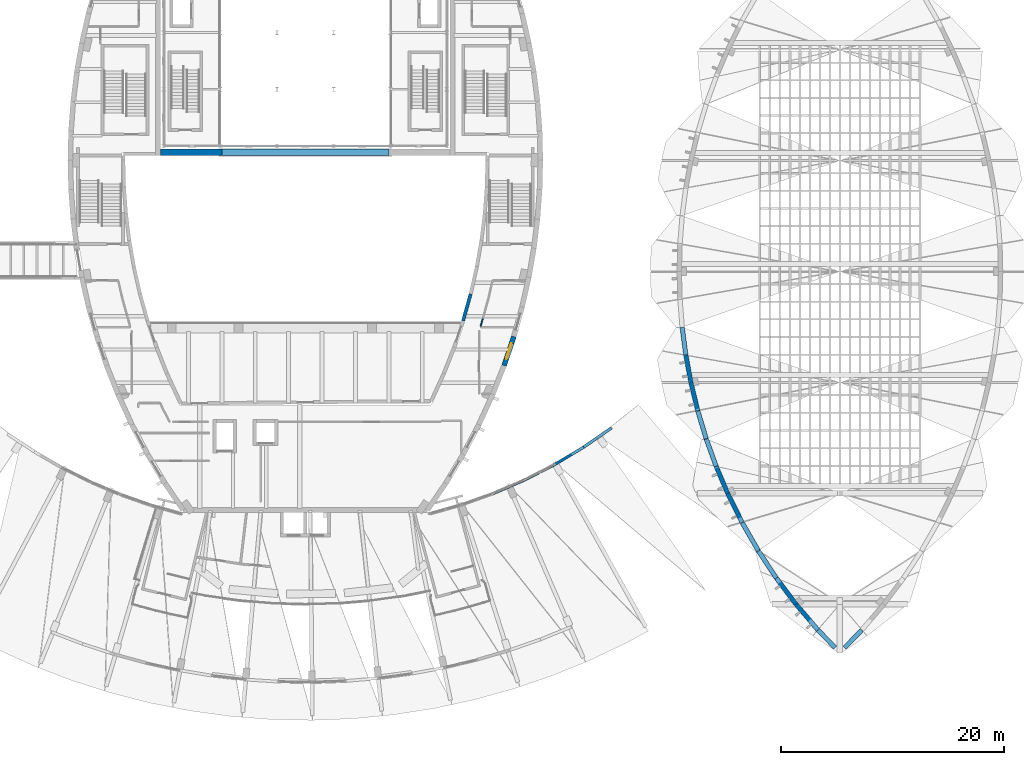
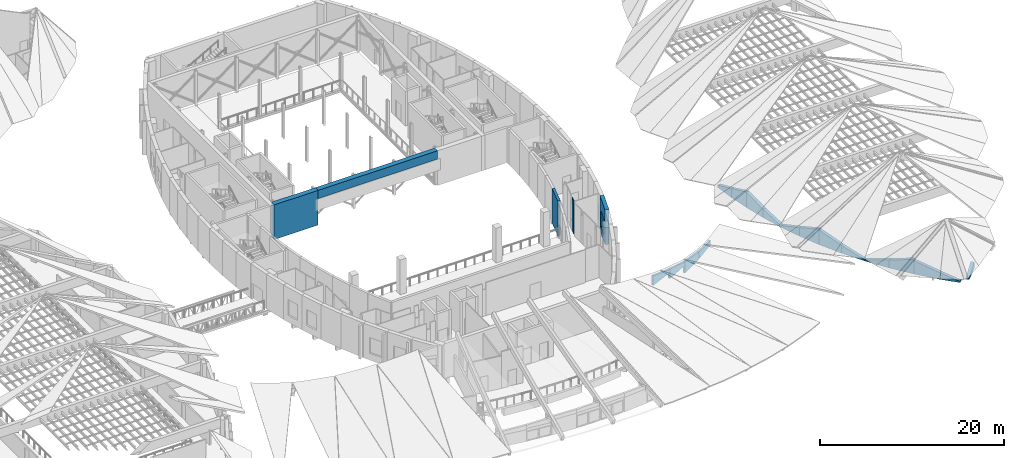
# One storey, part 35 of 56: 22 walls, 1 window, 1 opening.
"""IFC4 building model written with IfcOpenShell, lengths in metres."""

from ifc_helpers import new_model, si_unit, direction, frame, frame_2d, origin, place, context, subcontext, project, spatial, polyline, rectangle, outline, extrude, material, layer, layer_set, type_object, element, fill, save


model = new_model("IFC4")

# Units and contexts
model_context = context("Model", 3, precision=1e-05, world=origin(), true_north=direction((0.0, 1.0)))
body_context = subcontext(model_context, "Body", "Model", "MODEL_VIEW")
ifc_project = project(units=[si_unit("LENGTHUNIT", "METRE"), si_unit("AREAUNIT", "SQUARE_METRE"), si_unit("VOLUMEUNIT", "CUBIC_METRE"), si_unit("PLANEANGLEUNIT", "RADIAN"), si_unit("MASSUNIT", "GRAM", prefix="KILO")], contexts=[model_context])

# Site, building, storey
site_placement = place(None, origin())
site = spatial("IfcSite", under=ifc_project, at=site_placement, CompositionType="ELEMENT")
building_placement = place(site_placement, origin())
building = spatial("IfcBuilding", under=site, at=building_placement, Name="Tide Square Theatres", CompositionType="ELEMENT")
storey_placement = place(building_placement, frame((0.0, 0.0, 10.199951171875)))
storey = spatial("IfcBuildingStorey", under=building, at=storey_placement, Name="L02", CompositionType="ELEMENT", Elevation=10.199951171875)

# Walls
ifc_material_1 = material(Name="Gypsum board on steel studs", Category="steel")
ifc_layer_1 = layer(ifc_material_1, 0.10009765625)
ifc_layer_set_1 = layer_set([ifc_layer_1], Name="Gypsum board on steel studs")
wall_type_1 = type_object("IfcWallType", Name="Partition 100 thick", PredefinedType="PARTITIONING", material=ifc_layer_set_1)
wall_1_placement = place(storey_placement, frame((99.7373046875, 40.082763671875, 0.0), z_axis=(0.0, 0.0, 1.0), x_axis=(0.270039714022, 0.962849184894, 0.0)))
element("IfcWall", 1, at=wall_1_placement, inside=storey, type_object=wall_type_1, Name="Partition", PredefinedType="PARTITIONING", context=body_context, shape_type="SweptSolid", body=[
    extrude(rectangle(XDim=0.751220703125, YDim=0.10009765625, at=frame_2d((0.37548828125, 0.0))), origin(), (0.0, 0.0, 1.0), 4.35009765625),
])
ifc_material_2 = material(Name="Concrete C40", Category="concrete")
ifc_layer_2 = layer(ifc_material_2, 0.39990234375)
ifc_layer_set_2 = layer_set([ifc_layer_2], Name="Concrete C40")
wall_type_2 = type_object("IfcWallType", Name="RC curved wall 400 thick", PredefinedType="SOLIDWALL", material=ifc_layer_set_2)
wall_2_placement = place(storey_placement, frame((132.421875, 11.221923828125, 0.0), z_axis=(0.0, 0.0, 1.0), x_axis=(0.696302127587, 0.717748805028, 0.0)))
element("IfcWall", 2, at=wall_2_placement, inside=storey, type_object=wall_type_2, Name="Black Box Theatre perimeter wall", PredefinedType="SOLIDWALL", context=body_context, shape_type="SweptSolid", body=[
    extrude(outline(polyline([(0.0, 0.0), (2.2197265625, 0.0), (2.2197265625, 0.85546875), (2.20751953125, 0.85302734375), (0.0, 0.150146484375), (0.0, 0.0)])), frame((0.0, 0.199951171875, 0.0), z_axis=(0.0, -1.0, 0.0), x_axis=(1.0, 0.0, 0.0)), (0.0, 0.0, 1.0), 0.39990234375),
])
wall_3_placement = place(storey_placement, frame((117.836669921875, 39.988037109375, 0.0), z_axis=(0.0, 0.0, 1.0), x_axis=(0.130722601708, -0.991418983782, 0.0)))
element("IfcWall", 3, at=wall_3_placement, inside=storey, type_object=wall_type_2, Name="Black Box Theatre perimeter wall", PredefinedType="SOLIDWALL", context=body_context, shape_type="SweptSolid", body=[
    extrude(outline(polyline([(0.0, 0.0), (2.4970703125, 0.0), (2.497314453125, 1.17578125), (2.43896484375, 1.155517578125), (0.095703125, 0.314453125), (0.0, 0.2802734375), (0.0, 0.0)])), frame((0.0, 0.199951171875, 0.0), z_axis=(0.0, -1.0, 0.0), x_axis=(1.0, 0.0, 0.0)), (0.0, 0.0, 1.0), 0.39990234375),
])
wall_4_placement = place(storey_placement, frame((118.164794921875, 37.501953125, 0.0), z_axis=(0.0, 0.0, 1.0), x_axis=(0.182652956339, -0.983177449671, 0.0)))
element("IfcWall", 4, at=wall_4_placement, inside=storey, type_object=wall_type_2, Name="Black Box Theatre perimeter wall", PredefinedType="SOLIDWALL", context=body_context, shape_type="SweptSolid", body=[
    extrude(outline(polyline([(0.0, 0.0), (2.496826171875, 0.0), (2.496826171875, 2.0439453125), (2.456298828125, 2.064697265625), (2.3818359375, 2.0380859375), (0.070068359375, 1.208251953125), (0.0, 1.18310546875), (0.0, 0.0)])), frame((0.0, 0.199951171875, 0.0), z_axis=(0.0, -1.0, 0.0), x_axis=(1.0, 0.0, 0.0)), (0.0, 0.0, 1.0), 0.39990234375),
])
wall_5_placement = place(storey_placement, frame((118.623046875, 35.03662109375, 0.0), z_axis=(0.0, 0.0, 1.0), x_axis=(0.235108668597, -0.971969091047, 0.0)))
element("IfcWall", 5, at=wall_5_placement, inside=storey, type_object=wall_type_2, Name="Black Box Theatre perimeter wall", PredefinedType="SOLIDWALL", context=body_context, shape_type="SweptSolid", body=[
    extrude(outline(polyline([(0.0, 0.0), (2.61669921875, 0.0), (2.61669921875, 1.13720703125), (0.078857421875, 2.008544921875), (0.0, 2.03564453125), (0.0, 0.0)])), frame((0.0, 0.199951171875, 0.0), z_axis=(0.0, -1.0, 0.0), x_axis=(1.0, 0.0, 0.0)), (0.0, 0.0, 1.0), 0.39990234375),
])
wall_6_placement = place(storey_placement, frame((119.2412109375, 32.482666015625, 0.0), z_axis=(0.0, 0.0, 1.0), x_axis=(0.288212317298, -0.957566530408, 0.0)))
element("IfcWall", 6, at=wall_6_placement, inside=storey, type_object=wall_type_2, Name="Black Box Theatre perimeter wall", PredefinedType="SOLIDWALL", context=body_context, shape_type="SweptSolid", body=[
    extrude(outline(polyline([(0.0, 0.0), (2.61669921875, 0.0), (2.616455078125, 0.2470703125), (2.6005859375, 0.238525390625), (0.0, 1.129150390625), (0.0, 0.0)])), frame((0.0, 0.199951171875, 0.0), z_axis=(0.0, -1.0, 0.0), x_axis=(1.0, 0.0, 0.0)), (0.0, 0.0, 1.0), 0.39990234375),
])
wall_7_placement = place(storey_placement, frame((119.998779296875, 29.966552734375, 0.0), z_axis=(0.0, 0.0, 1.0), x_axis=(0.340394146267, -0.940282843184, 0.0)))
element("IfcWall", 7, at=wall_7_placement, inside=storey, type_object=wall_type_2, Name="Black Box Theatre perimeter wall", PredefinedType="SOLIDWALL", context=body_context, shape_type="SweptSolid", body=[
    extrude(outline(polyline([(0.0, 0.0), (2.616455078125, 0.0), (2.616455078125, 1.14794921875), (2.49609375, 1.1103515625), (0.1748046875, 0.3154296875), (0.0, 0.255615234375), (0.0, 0.0)])), frame((0.0, 0.199951171875, 0.0), z_axis=(0.0, -1.0, 0.0), x_axis=(1.0, 0.0, 0.0)), (0.0, 0.0, 1.0), 0.39990234375),
])
wall_8_placement = place(storey_placement, frame((120.893310546875, 27.49609375, 0.0), z_axis=(0.0, 0.0, 1.0), x_axis=(0.391529943778, -0.920165367271, 0.0)))
element("IfcWall", 8, at=wall_8_placement, inside=storey, type_object=wall_type_2, Name="Black Box Theatre perimeter wall", PredefinedType="SOLIDWALL", context=body_context, shape_type="SweptSolid", body=[
    extrude(outline(polyline([(0.0, 0.0), (2.61572265625, 0.0), (2.615966796875, 1.962646484375), (2.595947265625, 1.969970703125), (2.510986328125, 2.015380859375), (2.42578125, 1.986328125), (0.13623046875, 1.201904296875), (0.0, 1.1552734375), (0.0, 0.0)])), frame((0.0, 0.199951171875, 0.0), z_axis=(0.0, -1.0, 0.0), x_axis=(1.0, 0.0, 0.0)), (0.0, 0.0, 1.0), 0.39990234375),
])
wall_9_placement = place(storey_placement, frame((121.92236328125, 25.078369140625, 0.0), z_axis=(0.0, 0.0, 1.0), x_axis=(0.44433489597, -0.895860759395, 0.0)))
element("IfcWall", 9, at=wall_9_placement, inside=storey, type_object=wall_type_2, Name="Black Box Theatre perimeter wall", PredefinedType="SOLIDWALL", context=body_context, shape_type="SweptSolid", body=[
    extrude(outline(polyline([(0.0, 0.0), (2.919677734375, 0.0), (2.919921875, 1.053466796875), (2.891845703125, 1.0634765625), (0.207275390625, 1.891357421875), (0.10791015625, 1.921875), (0.0, 1.955078125), (0.0, 0.0)])), frame((0.0, 0.199951171875, 0.0), z_axis=(0.0, -1.0, 0.0), x_axis=(1.0, 0.0, 0.0)), (0.0, 0.0, 1.0), 0.39990234375),
])
wall_10_placement = place(storey_placement, frame((123.2255859375, 22.451904296875, 0.0), z_axis=(0.0, 0.0, 1.0), x_axis=(0.498406705095, -0.866943340892, 0.0)))
element("IfcWall", 10, at=wall_10_placement, inside=storey, type_object=wall_type_2, Name="Black Box Theatre perimeter wall", PredefinedType="SOLIDWALL", context=body_context, shape_type="SweptSolid", body=[
    extrude(outline(polyline([(0.0, 0.0), (2.91943359375, 0.0), (2.919189453125, 0.1611328125), (2.90673828125, 0.15283203125), (0.0, 1.045166015625), (0.0, 0.0)])), frame((0.0, 0.199951171875, 0.0), z_axis=(0.0, -1.0, 0.0), x_axis=(1.0, 0.0, 0.0)), (0.0, 0.0, 1.0), 0.39990234375),
])
wall_11_placement = place(storey_placement, frame((124.68701171875, 19.91064453125, 0.0), z_axis=(0.0, 0.0, 1.0), x_axis=(0.550602185206, -0.834767772285, 0.0)))
element("IfcWall", 11, at=wall_11_placement, inside=storey, type_object=wall_type_2, Name="Black Box Theatre perimeter wall", PredefinedType="SOLIDWALL", context=body_context, shape_type="SweptSolid", body=[
    extrude(outline(polyline([(0.0, 0.0), (2.91943359375, 0.0), (2.919189453125, 1.04296875), (2.631591796875, 0.970458984375), (0.456787109375, 0.310791015625), (0.0, 0.170654296875), (0.0, 0.0)])), frame((0.0, 0.199951171875, 0.0), z_axis=(0.0, -1.0, 0.0), x_axis=(1.0, 0.0, 0.0)), (0.0, 0.0, 1.0), 0.39990234375),
])
wall_12_placement = place(storey_placement, frame((126.301513671875, 17.463623046875, 0.0), z_axis=(0.0, 0.0, 1.0), x_axis=(0.600829330321, -0.799377330068, 0.0)))
element("IfcWall", 12, at=wall_12_placement, inside=storey, type_object=wall_type_2, Name="Black Box Theatre perimeter wall", PredefinedType="SOLIDWALL", context=body_context, shape_type="SweptSolid", body=[
    extrude(outline(polyline([(0.0, 0.0), (2.919189453125, 0.0), (2.919189453125, 1.766845703125), (2.904296875, 1.7724609375), (2.75390625, 1.895263671875), (2.603759765625, 1.84912109375), (0.330322265625, 1.1513671875), (0.0, 1.0498046875), (0.0, 0.0)])), frame((0.0, 0.199951171875, 0.0), z_axis=(0.0, -1.0, 0.0), x_axis=(1.0, 0.0, 0.0)), (0.0, 0.0, 1.0), 0.39990234375),
])
wall_13_placement = place(storey_placement, frame((128.06298828125, 15.120361328125, 0.0), z_axis=(0.0, 0.0, 1.0), x_axis=(0.649458578854, -0.760396971557, 0.0)))
element("IfcWall", 13, at=wall_13_placement, inside=storey, type_object=wall_type_2, Name="Black Box Theatre perimeter wall", PredefinedType="SOLIDWALL", context=body_context, shape_type="SweptSolid", body=[
    extrude(outline(polyline([(0.0, 0.0), (3.019287109375, 0.0), (3.019287109375, 0.862060546875), (2.994140625, 0.869384765625), (0.3447265625, 1.65576171875), (0.173828125, 1.70654296875), (0.0, 1.758056640625), (0.0, 0.0)])), frame((0.0, 0.199951171875, 0.0), z_axis=(0.0, -1.0, 0.0), x_axis=(1.0, 0.0, 0.0)), (0.0, 0.0, 1.0), 0.39990234375),
])
wall_14_placement = place(storey_placement, frame((130.032470703125, 12.815185546875, 0.0), z_axis=(0.0, 0.0, 1.0), x_axis=(0.696298740518, -0.717752090873, 0.0)))
element("IfcWall", 14, at=wall_14_placement, inside=storey, type_object=wall_type_2, Name="Black Box Theatre perimeter wall", PredefinedType="SOLIDWALL", context=body_context, shape_type="SweptSolid", body=[
    extrude(outline(polyline([(0.0, 0.0), (2.218994140625, 0.0), (2.218994140625, 0.150146484375), (0.0, 0.854736328125), (0.0, 0.0)])), frame((0.0, 0.199951171875, 0.0), z_axis=(0.0, -1.0, 0.0), x_axis=(1.0, 0.0, 0.0)), (0.0, 0.0, 1.0), 0.39990234375),
])

# Wall, opening, window
ifc_material_3 = material(Name="Concrete C40", Category="concrete")
ifc_layer_3 = layer(ifc_material_3, 0.449951171875)
ifc_layer_set_3 = layer_set([ifc_layer_3], Name="Concrete C40")
wall_type_3 = type_object("IfcWallType", Name="RC curved wall 450 thick", PredefinedType="SOLIDWALL", material=ifc_layer_set_3)
wall_15_placement = place(storey_placement, frame((101.846923828125, 36.55322265625, 0.0), z_axis=(0.0, 0.0, 1.0), x_axis=(0.318887614688, 0.947792534893, 0.0)))
wall_15 = element("IfcWall", 15, at=wall_15_placement, inside=storey, type_object=wall_type_3, Name="Main Theatre perimeter wall", PredefinedType="SOLIDWALL", context=body_context, shape_type="SweptSolid", body=[
    extrude(rectangle(XDim=2.75244140625, YDim=0.449951171875, at=frame_2d((1.376220703125, 0.0))), origin(), (0.0, 0.0, 1.0), 4.60009765625),
])
opening_placement = place(wall_15_placement, frame((0.626220703125, 0.0, 0.89990234375)))
opening = element("IfcOpeningElement", 16, at=opening_placement, cuts=wall_15, Name="Opening WN-01", PredefinedType="OPENING", context=body_context, shape_type="SweptSolid", body=[
    extrude(rectangle(XDim=1.5, YDim=2.10009765625, at=frame_2d((0.75, 1.050048828125))), frame((0.0, 0.23486328125, 0.0), z_axis=(0.0, -1.0, 0.0), x_axis=(1.0, 0.0, 0.0)), (0.0, 0.0, 1.0), 0.469970703125),
])
ifc_material_4 = material(Name="Aluminium with laminated glass", Category="aluminium")
window_type = type_object("IfcWindowType", Name="Window 1500 x 2100", PartitioningType="SINGLE_PANEL", PredefinedType="WINDOW", material=ifc_material_4)
window_placement = place(opening_placement, origin())
window = element("IfcWindow", 17, at=window_placement, inside=storey, type_object=window_type, Name="Main Theatre window", OverallHeight=2.10009765625, OverallWidth=1.5, PartitioningType="SINGLE_PANEL", PredefinedType="WINDOW", context=body_context, shape_type="SweptSolid", body=[
    extrude(rectangle(XDim=1.5, YDim=2.10009765625, at=frame_2d((0.75, 1.050048828125))), frame((0.0, 0.030029296875, 0.0), z_axis=(0.0, -1.0, 0.0), x_axis=(1.0, 0.0, 0.0)), (0.0, 0.0, 1.0), 0.06005859375),
])
fill(opening, window)

# Walls
ifc_material_5 = material(Name="Concrete C40", Category="concrete")
ifc_layer_4 = layer(ifc_material_5, 0.25)
ifc_layer_set_4 = layer_set([ifc_layer_4], Name="Concrete C40")
wall_type_4 = type_object("IfcWallType", Name="RC shear wall 250 thick", PredefinedType="SHEAR", material=ifc_layer_set_4)
wall_16_placement = place(storey_placement, frame((111.501220703125, 30.97021484375, 0.0), z_axis=(0.0, 0.0, 1.0), x_axis=(-0.822001191641, -0.569485768866, 0.0)))
element("IfcWall", 18, at=wall_16_placement, inside=storey, type_object=wall_type_4, Name="Foyer fascia wall", PredefinedType="SHEAR", context=body_context, shape_type="SweptSolid", body=[
    extrude(outline(polyline([(0.0, 0.0), (3.037841796875, 0.0), (3.037841796875, 0.964111328125), (1.656982421875, 0.717529296875), (1.380859375, 0.675537109375), (1.104736328125, 0.65869140625), (0.0, 0.58203125), (0.0, 0.0)])), frame((0.0, 0.125, 0.0), z_axis=(0.0, -1.0, 0.0), x_axis=(1.0, 0.0, 0.0)), (0.0, 0.0, 1.0), 0.25),
])
wall_17_placement = place(storey_placement, frame((109.004150390625, 29.240234375, 0.0), z_axis=(0.0, 0.0, 1.0), x_axis=(-0.857733926081, -0.514093874744, 0.0)))
element("IfcWall", 19, at=wall_17_placement, inside=storey, type_object=wall_type_4, Name="Foyer fascia wall", PredefinedType="SHEAR", context=body_context, shape_type="SweptSolid", body=[
    extrude(outline(polyline([(0.0, 0.0), (3.037841796875, 0.0), (3.037841796875, 1.514892578125), (2.76171875, 1.474853515625), (0.0, 0.965576171875), (0.0, 0.0)])), frame((0.0, 0.125, 0.0), z_axis=(0.0, -1.0, 0.0), x_axis=(1.0, 0.0, 0.0)), (0.0, 0.0, 1.0), 0.25),
])
wall_18_placement = place(storey_placement, frame((106.3984375, 27.678466796875, 1.067626953125), z_axis=(0.0, 0.0, 1.0), x_axis=(-0.88970113525, -0.456543415171, 0.0)))
element("IfcWall", 20, at=wall_18_placement, inside=storey, type_object=wall_type_4, Name="Foyer fascia wall", PredefinedType="SHEAR", context=body_context, shape_type="SweptSolid", body=[
    extrude(outline(polyline([(0.0, 0.0), (3.0380859375, 0.0), (3.037841796875, 1.250244140625), (0.0, 0.449462890625), (0.0, 0.0)])), frame((0.0, 0.125, 0.0), z_axis=(0.0, -1.0, 0.0), x_axis=(1.0, 0.0, 0.0)), (0.0, 0.0, 1.0), 0.25),
])
wall_19_placement = place(storey_placement, frame((103.695556640625, 26.29150390625, 1.870361328125), z_axis=(0.0, 0.0, 1.0), x_axis=(-0.917822216842, -0.396991660205, 0.0)))
element("IfcWall", 21, at=wall_19_placement, inside=storey, type_object=wall_type_4, Name="Foyer fascia wall", PredefinedType="SHEAR", context=body_context, shape_type="SweptSolid", body=[
    extrude(outline(polyline([(0.0, 0.0), (3.0380859375, 0.0), (3.037841796875, 1.282470703125), (1.656982421875, 0.883544921875), (1.380859375, 0.8232421875), (0.0, 0.44970703125), (0.0, 0.0)])), frame((0.0, 0.125, 0.0), z_axis=(0.0, -1.0, 0.0), x_axis=(1.0, 0.0, 0.0)), (0.0, 0.0, 1.0), 0.25),
])
ifc_material_6 = material(Name="Concrete C40", Category="concrete")
ifc_layer_5 = layer(ifc_material_6, 0.300048828125)
ifc_layer_set_5 = layer_set([ifc_layer_5], Name="Concrete C40")
wall_type_5 = type_object("IfcWallType", Name="RC shear wall 300 thick", PredefinedType="SHEAR", material=ifc_layer_set_5)
wall_20_placement = place(storey_placement, frame((98.159912109375, 40.568603515625, 0.0), z_axis=(0.0, 0.0, 1.0), x_axis=(0.269947665913, 0.962874995868, 0.0)))
element("IfcWall", 22, at=wall_20_placement, inside=storey, type_object=wall_type_5, Name="Main Theatre auditorium wall", PredefinedType="SHEAR", context=body_context, shape_type="SweptSolid", body=[
    extrude(rectangle(XDim=2.5078125, YDim=0.300048828125, at=frame_2d((1.25390625, 0.0))), origin(), (0.0, 0.0, 1.0), 4.60009765625),
])
ifc_material_7 = material(Name="Concrete C40", Category="concrete")
ifc_layer_6 = layer(ifc_material_7, 0.60009765625)
ifc_layer_set_6 = layer_set([ifc_layer_6], Name="Concrete C40")
wall_type_6 = type_object("IfcWallType", Name="RC shear wall 600 thick", PredefinedType="SHEAR", material=ifc_layer_set_6)
wall_21_placement = place(storey_placement, frame((71.0, 55.699951171875, 0.0), z_axis=(0.0, 0.0, 1.0), x_axis=(1.0, 0.0, 0.0)))
element("IfcWall", 23, at=wall_21_placement, inside=storey, type_object=wall_type_6, Name="Proscenium wall", PredefinedType="SHEAR", context=body_context, shape_type="SweptSolid", body=[
    extrude(rectangle(XDim=5.5, YDim=0.60009765625, at=frame_2d((2.75, 0.0))), origin(), (0.0, 0.0, 1.0), 4.60009765625),
])
wall_22_placement = place(storey_placement, frame((76.5, 55.699951171875, 3.5), z_axis=(0.0, 0.0, 1.0), x_axis=(1.0, 0.0, 0.0)))
element("IfcWall", 24, at=wall_22_placement, inside=storey, type_object=wall_type_6, Name="Proscenium header wall", PredefinedType="SHEAR", context=body_context, shape_type="SweptSolid", body=[
    extrude(rectangle(XDim=15.0, YDim=0.60009765625, at=frame_2d((7.5, 0.0))), origin(), (0.0, 0.0, 1.0), 1.10009765625),
])

save(model, "model.ifc")
